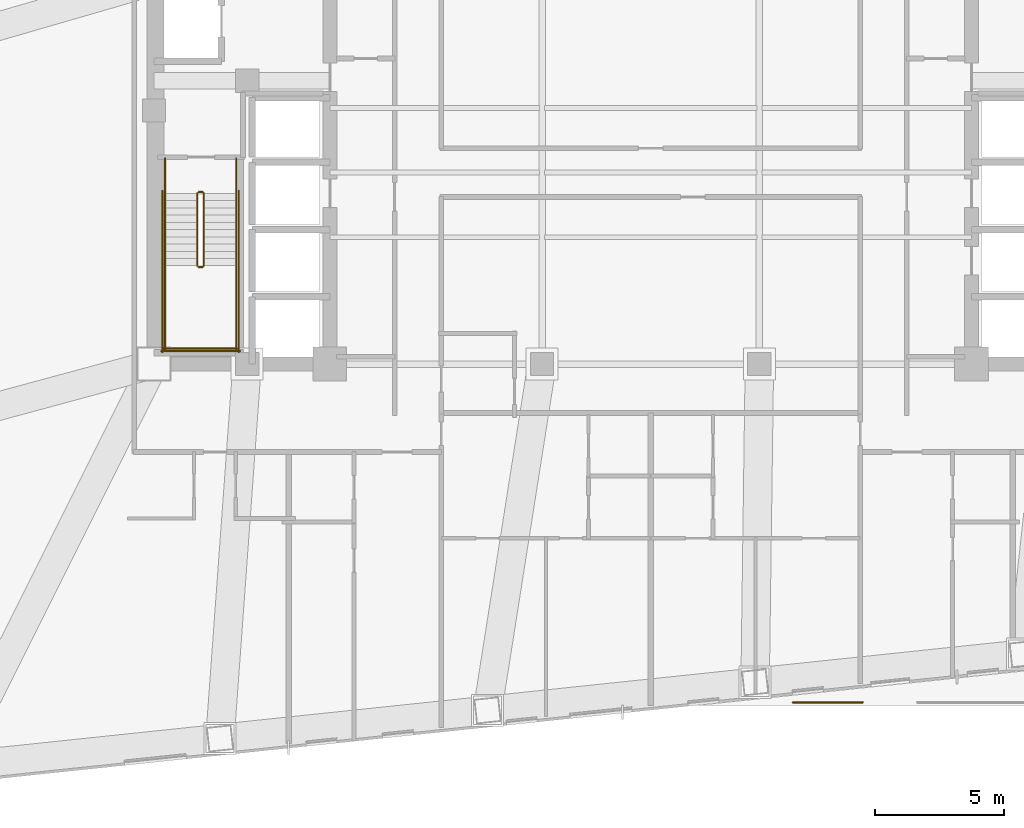
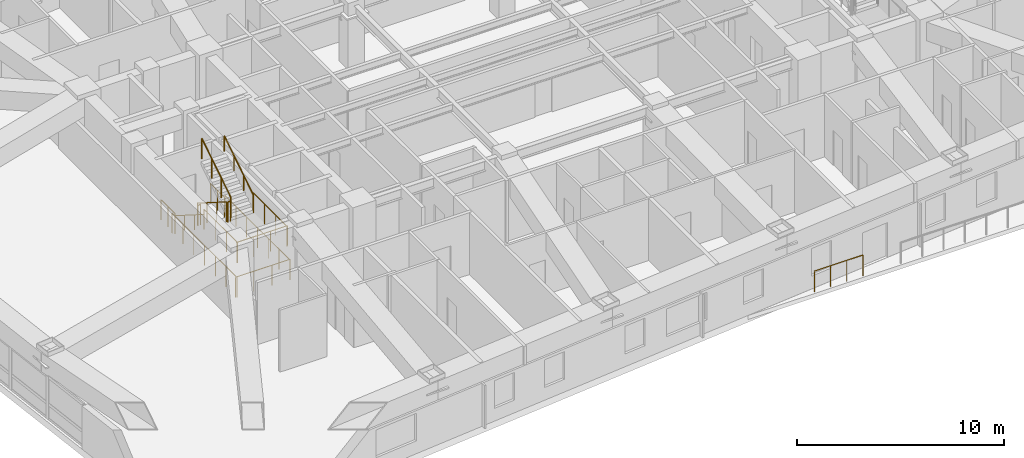
# One storey, part 13 of 15: 15 railings.
"""IFC4 building model written with IfcOpenShell, lengths in metres."""

from ifc_helpers import new_model, si_unit, direction, frame, origin, origin_2d, place, context, subcontext, project, spatial, circle, extrude, material, type_object, element, save


model = new_model("IFC4")

# Units and contexts
model_context = context("Model", 3, precision=1e-05, world=origin(), true_north=direction((0.0, 1.0)))
body_context = subcontext(model_context, "Body", "Model", "MODEL_VIEW")
ifc_project = project(units=[si_unit("LENGTHUNIT", "METRE"), si_unit("AREAUNIT", "SQUARE_METRE"), si_unit("VOLUMEUNIT", "CUBIC_METRE"), si_unit("PLANEANGLEUNIT", "RADIAN"), si_unit("MASSUNIT", "GRAM", prefix="KILO")], contexts=[model_context])

# Site, building, storey
site_placement = place(None, origin())
site = spatial("IfcSite", under=ifc_project, at=site_placement, CompositionType="ELEMENT")
building_placement = place(site_placement, origin())
building = spatial("IfcBuilding", under=site, at=building_placement, Name="Voryun Gate Residences", CompositionType="ELEMENT")
storey_placement = place(building_placement, frame((0.0, 0.0, 140.39990234375)))
storey = spatial("IfcBuildingStorey", under=building, at=storey_placement, Name="L34", CompositionType="ELEMENT", Elevation=140.39990234375)

# Railings
ifc_material_1 = material(Name="Painted steel", Category="steel")
railing_type_1 = type_object("IfcRailingType", Name="RAIL_STAIR_GUARD_1200", PredefinedType="GUARDRAIL", material=ifc_material_1)
railing_1_placement = place(storey_placement, frame((-17.52490234375, -0.800048828125, 0.177490234375)))
element("IfcRailing", 1, at=railing_1_placement, inside=storey, type_object=railing_type_1, Name="L34 ST-W1 stair guard 1", PredefinedType="GUARDRAIL", context=body_context, shape_type="SweptSolid", body=[
    extrude(circle(Radius=0.02392578125, at=origin_2d()), frame((0.0, 0.0, 1.17578125), z_axis=(0.0, -0.844908973607, 0.534910110503), x_axis=(1.0, 0.0, 0.0)), (0.0, 0.0, 1.0), 3.31396484375),
    extrude(circle(Radius=0.02099609375, at=origin_2d()), origin(), (0.0, 0.0, 1.0), 1.15185546875),
    extrude(circle(Radius=0.02099609375, at=origin_2d()), frame((0.0, -0.933349609375, 0.5908203125)), (0.0, 0.0, 1.0), 1.15185546875),
    extrude(circle(Radius=0.02099609375, at=origin_2d()), frame((0.0, -1.86669921875, 1.181884765625)), (0.0, 0.0, 1.0), 1.15185546875),
    extrude(circle(Radius=0.02099609375, at=origin_2d()), frame((0.0, -2.800048828125, 1.772705078125)), (0.0, 0.0, 1.0), 1.15185546875),
])
railing_2_placement = place(storey_placement, frame((-17.47509765625, -3.64990234375, 1.9501953125)))
element("IfcRailing", 2, at=railing_2_placement, inside=storey, type_object=railing_type_1, Name="L34 ST-W1 stair guard 2", PredefinedType="GUARDRAIL", context=body_context, shape_type="SweptSolid", body=[
    extrude(circle(Radius=0.02392578125, at=origin_2d()), frame((0.0, 0.0, 1.17578125), z_axis=(1.0, 0.0, 0.0), x_axis=(0.0, 1.0, 0.0)), (0.0, 0.0, 1.0), 0.150146484375),
    extrude(circle(Radius=0.02099609375, at=origin_2d()), origin(), (0.0, 0.0, 1.0), 1.15185546875),
    extrude(circle(Radius=0.02099609375, at=origin_2d()), frame((0.150146484375, 0.0, 0.0)), (0.0, 0.0, 1.0), 1.15185546875),
])
for number, where, name in (
    (3, (-18.77490234375, -3.60009765625, 1.9501953125), "L34 ST-W1 stair guard 3"),
    (4, (-16.02490234375, -3.60009765625, 1.9501953125), "L34 ST-W1 stair guard 4"),
):
    element("IfcRailing", number, at=place(storey_placement, frame(where)), inside=storey, type_object=railing_type_1, Name=name, PredefinedType="GUARDRAIL", context=body_context, shape_type="SweptSolid", body=[
        extrude(circle(Radius=0.02392578125, at=origin_2d()), frame((0.0, 0.0, 1.17578125), z_axis=(0.0, -1.0, 0.0), x_axis=(1.0, 0.0, 0.0)), (0.0, 0.0, 1.0), 3.25),
        extrude(circle(Radius=0.02099609375, at=origin_2d()), origin(), (0.0, 0.0, 1.0), 1.15185546875),
        extrude(circle(Radius=0.02099609375, at=origin_2d()), frame((0.0, -1.083251953125, 0.0)), (0.0, 0.0, 1.0), 1.15185546875),
        extrude(circle(Radius=0.02099609375, at=origin_2d()), frame((0.0, -2.166748046875, 0.0)), (0.0, 0.0, 1.0), 1.15185546875),
        extrude(circle(Radius=0.02099609375, at=origin_2d()), frame((0.0, -3.25, 0.0)), (0.0, 0.0, 1.0), 1.15185546875),
    ])
railing_3_placement = place(storey_placement, frame((-18.824951171875, -6.800048828125, 1.9501953125)))
element("IfcRailing", 5, at=railing_3_placement, inside=storey, type_object=railing_type_1, Name="L34 ST-W1 stair guard 5", PredefinedType="GUARDRAIL", context=body_context, shape_type="SweptSolid", body=[
    extrude(circle(Radius=0.02392578125, at=origin_2d()), frame((0.0, 0.0, 1.17578125), z_axis=(1.0, 0.0, 0.0), x_axis=(0.0, 1.0, 0.0)), (0.0, 0.0, 1.0), 2.849853515625),
    extrude(circle(Radius=0.02099609375, at=origin_2d()), origin(), (0.0, 0.0, 1.0), 1.15185546875),
    extrude(circle(Radius=0.02099609375, at=origin_2d()), frame((0.949951171875, 0.0, 0.0)), (0.0, 0.0, 1.0), 1.15185546875),
    extrude(circle(Radius=0.02099609375, at=origin_2d()), frame((1.89990234375, 0.0, 0.0)), (0.0, 0.0, 1.0), 1.15185546875),
    extrude(circle(Radius=0.02099609375, at=origin_2d()), frame((2.849853515625, 0.0, 0.0)), (0.0, 0.0, 1.0), 1.15185546875),
])
railing_4_placement = place(storey_placement, frame((-17.27490234375, -3.60009765625, 2.12744140625)))
element("IfcRailing", 6, at=railing_4_placement, inside=storey, type_object=railing_type_1, Name="L34 ST-W1 stair guard 6", PredefinedType="GUARDRAIL", context=body_context, shape_type="SweptSolid", body=[
    extrude(circle(Radius=0.02392578125, at=origin_2d()), frame((0.0, 0.0, 1.17578125), z_axis=(0.0, 0.844908973607, 0.534910110503), x_axis=(-1.0, 0.0, 0.0)), (0.0, 0.0, 1.0), 3.31396484375),
    extrude(circle(Radius=0.02099609375, at=origin_2d()), origin(), (0.0, 0.0, 1.0), 1.15185546875),
    extrude(circle(Radius=0.02099609375, at=origin_2d()), frame((0.0, 0.933349609375, 0.5908203125)), (0.0, 0.0, 1.0), 1.15185546875),
    extrude(circle(Radius=0.02099609375, at=origin_2d()), frame((0.0, 1.86669921875, 1.181884765625)), (0.0, 0.0, 1.0), 1.15185546875),
    extrude(circle(Radius=0.02099609375, at=origin_2d()), frame((0.0, 2.800048828125, 1.772705078125)), (0.0, 0.0, 1.0), 1.15185546875),
])
railing_5_placement = place(storey_placement, frame((-17.47509765625, -0.75, 0.0)))
element("IfcRailing", 7, at=railing_5_placement, inside=storey, type_object=railing_type_1, Name="L34 ST-W1 stair guard 7", PredefinedType="GUARDRAIL", context=body_context, shape_type="SweptSolid", body=[
    extrude(circle(Radius=0.02392578125, at=origin_2d()), frame((0.0, 0.0, 1.17578125), z_axis=(1.0, 0.0, 0.0), x_axis=(0.0, 1.0, 0.0)), (0.0, 0.0, 1.0), 0.150146484375),
    extrude(circle(Radius=0.02099609375, at=origin_2d()), origin(), (0.0, 0.0, 1.0), 1.15185546875),
    extrude(circle(Radius=0.02099609375, at=origin_2d()), frame((0.150146484375, 0.0, 0.0)), (0.0, 0.0, 1.0), 1.15185546875),
])
for number, where, name in (
    (8, (-18.77490234375, 0.550048828125, 0.0), "L34 ST-W1 stair guard 8"),
    (9, (-16.02490234375, 0.550048828125, 0.0), "L34 ST-W1 stair guard 9"),
):
    element("IfcRailing", number, at=place(storey_placement, frame(where)), inside=storey, type_object=railing_type_1, Name=name, PredefinedType="GUARDRAIL", context=body_context, shape_type="SweptSolid", body=[
        extrude(circle(Radius=0.02392578125, at=origin_2d()), frame((0.0, 0.0, 1.17578125), z_axis=(0.0, -1.0, 0.0), x_axis=(1.0, 0.0, 0.0)), (0.0, 0.0, 1.0), 1.35009765625),
        extrude(circle(Radius=0.02099609375, at=origin_2d()), origin(), (0.0, 0.0, 1.0), 1.15185546875),
        extrude(circle(Radius=0.02099609375, at=origin_2d()), frame((0.0, -0.675048828125, 0.0)), (0.0, 0.0, 1.0), 1.15185546875),
        extrude(circle(Radius=0.02099609375, at=origin_2d()), frame((0.0, -1.35009765625, 0.0)), (0.0, 0.0, 1.0), 1.15185546875),
    ])
for number, where, name in (
    (10, (-18.875, -0.699951171875, 0.0), "L34 ST-W1 stair guard 10"),
    (11, (-15.925048828125, -0.699951171875, 0.0), "L34 ST-W1 stair guard 11"),
):
    element("IfcRailing", number, at=place(storey_placement, frame(where)), inside=storey, type_object=railing_type_1, Name=name, PredefinedType="GUARDRAIL", context=body_context, shape_type="SweptSolid", body=[
        extrude(circle(Radius=0.02392578125, at=origin_2d()), frame((0.0, 0.0, 1.17578125), z_axis=(0.0, -1.0, 0.0), x_axis=(1.0, 0.0, 0.0)), (0.0, 0.0, 1.0), 6.25),
        extrude(circle(Radius=0.02099609375, at=origin_2d()), origin(), (0.0, 0.0, 1.0), 1.15185546875),
        extrude(circle(Radius=0.02099609375, at=origin_2d()), frame((0.0, -1.041748046875, 0.0)), (0.0, 0.0, 1.0), 1.15185546875),
        extrude(circle(Radius=0.02099609375, at=origin_2d()), frame((0.0, -2.083251953125, 0.0)), (0.0, 0.0, 1.0), 1.15185546875),
        extrude(circle(Radius=0.02099609375, at=origin_2d()), frame((0.0, -3.125, 0.0)), (0.0, 0.0, 1.0), 1.15185546875),
        extrude(circle(Radius=0.02099609375, at=origin_2d()), frame((0.0, -4.166748046875, 0.0)), (0.0, 0.0, 1.0), 1.15185546875),
        extrude(circle(Radius=0.02099609375, at=origin_2d()), frame((0.0, -5.208251953125, 0.0)), (0.0, 0.0, 1.0), 1.15185546875),
        extrude(circle(Radius=0.02099609375, at=origin_2d()), frame((0.0, -6.25, 0.0)), (0.0, 0.0, 1.0), 1.15185546875),
    ])
railing_6_placement = place(storey_placement, frame((-18.925048828125, -6.89990234375, 0.0)))
element("IfcRailing", 12, at=railing_6_placement, inside=storey, type_object=railing_type_1, Name="L34 ST-W1 stair guard 12", PredefinedType="GUARDRAIL", context=body_context, shape_type="SweptSolid", body=[
    extrude(circle(Radius=0.02392578125, at=origin_2d()), frame((0.0, 0.0, 1.17578125), z_axis=(1.0, 0.0, 0.0), x_axis=(0.0, 1.0, 0.0)), (0.0, 0.0, 1.0), 3.050048828125),
    extrude(circle(Radius=0.02099609375, at=origin_2d()), origin(), (0.0, 0.0, 1.0), 1.15185546875),
    extrude(circle(Radius=0.02099609375, at=origin_2d()), frame((1.0166015625, 0.0, 0.0)), (0.0, 0.0, 1.0), 1.15185546875),
    extrude(circle(Radius=0.02099609375, at=origin_2d()), frame((2.033447265625, 0.0, 0.0)), (0.0, 0.0, 1.0), 1.15185546875),
    extrude(circle(Radius=0.02099609375, at=origin_2d()), frame((3.050048828125, 0.0, 0.0)), (0.0, 0.0, 1.0), 1.15185546875),
])
ifc_material_2 = material(Name="Painted steel", Category="steel")
railing_type_2 = type_object("IfcRailingType", Name="RAIL_STAIR_HANDRAIL_900", PredefinedType="HANDRAIL", material=ifc_material_2)
railing_7_placement = place(storey_placement, frame((-18.77490234375, -0.800048828125, 0.177490234375)))
element("IfcRailing", 13, at=railing_7_placement, inside=storey, type_object=railing_type_2, Name="L34 ST-W1 stair handrail 1", PredefinedType="HANDRAIL", context=body_context, shape_type="SweptSolid", body=[
    extrude(circle(Radius=0.02392578125, at=origin_2d()), frame((0.0, 0.0, 0.8759765625), z_axis=(0.0, -0.844908973607, 0.534910110503), x_axis=(1.0, 0.0, 0.0)), (0.0, 0.0, 1.0), 3.31396484375),
    extrude(circle(Radius=0.02099609375, at=origin_2d()), origin(), (0.0, 0.0, 1.0), 0.851806640625),
    extrude(circle(Radius=0.02099609375, at=origin_2d()), frame((0.0, -0.933349609375, 0.5908203125)), (0.0, 0.0, 1.0), 0.851806640625),
    extrude(circle(Radius=0.02099609375, at=origin_2d()), frame((0.0, -1.86669921875, 1.181884765625)), (0.0, 0.0, 1.0), 0.851806640625),
    extrude(circle(Radius=0.02099609375, at=origin_2d()), frame((0.0, -2.800048828125, 1.772705078125)), (0.0, 0.0, 1.0), 0.851806640625),
])
railing_8_placement = place(storey_placement, frame((-16.02490234375, -3.60009765625, 2.12744140625)))
element("IfcRailing", 14, at=railing_8_placement, inside=storey, type_object=railing_type_2, Name="L34 ST-W1 stair handrail 2", PredefinedType="HANDRAIL", context=body_context, shape_type="SweptSolid", body=[
    extrude(circle(Radius=0.02392578125, at=origin_2d()), frame((0.0, 0.0, 0.8759765625), z_axis=(0.0, 0.844908973607, 0.534910110503), x_axis=(-1.0, 0.0, 0.0)), (0.0, 0.0, 1.0), 3.31396484375),
    extrude(circle(Radius=0.02099609375, at=origin_2d()), origin(), (0.0, 0.0, 1.0), 0.851806640625),
    extrude(circle(Radius=0.02099609375, at=origin_2d()), frame((0.0, 0.933349609375, 0.5908203125)), (0.0, 0.0, 1.0), 0.851806640625),
    extrude(circle(Radius=0.02099609375, at=origin_2d()), frame((0.0, 1.86669921875, 1.181884765625)), (0.0, 0.0, 1.0), 0.851806640625),
    extrude(circle(Radius=0.02099609375, at=origin_2d()), frame((0.0, 2.800048828125, 1.772705078125)), (0.0, 0.0, 1.0), 0.851806640625),
])
ifc_material_3 = material(Name="Anodised aluminium", Category="aluminium")
railing_type_3 = type_object("IfcRailingType", Name="RAIL_TERRACE_GUARD_1250", PredefinedType="GUARDRAIL", material=ifc_material_3)
railing_9_placement = place(storey_placement, frame((8.200927734375, -20.47998046875, 0.0)))
element("IfcRailing", 15, at=railing_9_placement, inside=storey, type_object=railing_type_3, Name="Terrace guard RL-L34-P1L1-06", PredefinedType="GUARDRAIL", context=body_context, shape_type="SweptSolid", body=[
    extrude(circle(Radius=0.02392578125, at=origin_2d()), frame((0.0, 0.0, 1.22607421875), z_axis=(-1.0, 0.0, 0.0), x_axis=(0.0, -1.0, 0.0)), (0.0, 0.0, 1.0), 2.70556640625),
    extrude(circle(Radius=0.02099609375, at=origin_2d()), origin(), (0.0, 0.0, 1.0), 1.201904296875),
    extrude(circle(Radius=0.02099609375, at=origin_2d()), frame((-0.90185546875, 0.0, 0.0)), (0.0, 0.0, 1.0), 1.201904296875),
    extrude(circle(Radius=0.02099609375, at=origin_2d()), frame((-1.8037109375, 0.0, 0.0)), (0.0, 0.0, 1.0), 1.201904296875),
    extrude(circle(Radius=0.02099609375, at=origin_2d()), frame((-2.70556640625, 0.0, 0.0)), (0.0, 0.0, 1.0), 1.201904296875),
])

save(model, "model.ifc")
